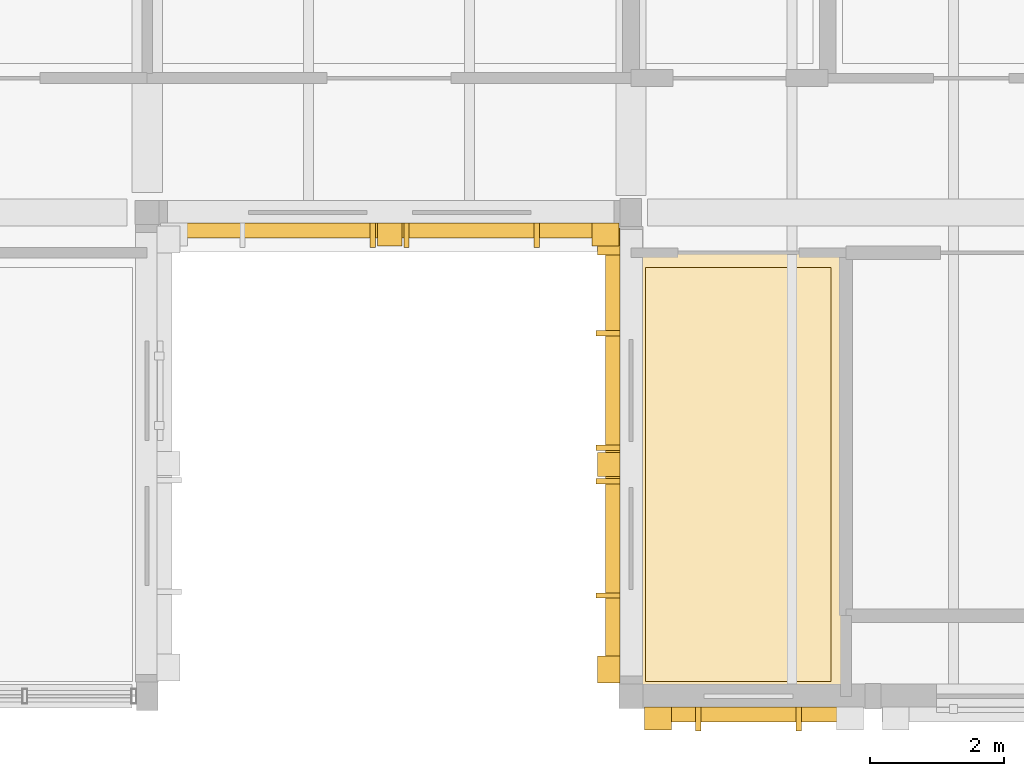
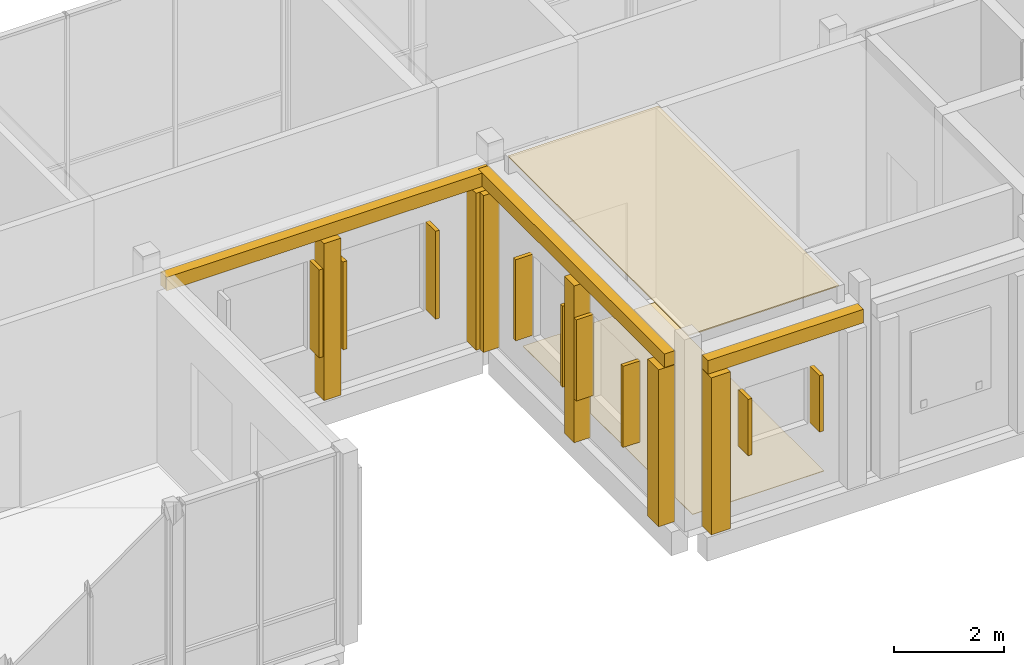
# One storey, part 133 of 146: 11 coverings, 9 shading devices.
"""IFC4 building model written with IfcOpenShell, lengths in metres."""

from ifc_helpers import new_model, si_unit, direction, frame, origin, origin_2d, place, context, subcontext, project, spatial, polyline, rectangle, outline, extrude, material, layer, layer_set, type_object, element, save


model = new_model("IFC4")

# Units and contexts
model_context = context("Model", 3, precision=1e-05, world=origin(), true_north=direction((0.0, 1.0)))
body_context = subcontext(model_context, "Body", "Model", "MODEL_VIEW")
ifc_project = project(units=[si_unit("LENGTHUNIT", "METRE"), si_unit("AREAUNIT", "SQUARE_METRE"), si_unit("VOLUMEUNIT", "CUBIC_METRE"), si_unit("PLANEANGLEUNIT", "RADIAN"), si_unit("MASSUNIT", "GRAM", prefix="KILO")], contexts=[model_context])

# Site, building, storey
site_placement = place(None, origin())
site = spatial("IfcSite", under=ifc_project, at=site_placement, CompositionType="ELEMENT")
building_placement = place(site_placement, origin())
building = spatial("IfcBuilding", under=site, at=building_placement, Name="Hawrajan Terrace Health Centre", CompositionType="ELEMENT")
storey_placement = place(building_placement, frame((0.0, 0.0, 4.5)))
storey = spatial("IfcBuildingStorey", under=building, at=storey_placement, Name="L01", CompositionType="ELEMENT", Elevation=4.5)

# Coverings
ifc_material_1 = material(Name="Precast concrete C40/50", Category="concrete")
ifc_layer_1 = layer(ifc_material_1, 0.219970703125)
ifc_layer_set_1 = layer_set([ifc_layer_1], Name="Precast concrete C40/50")
covering_type_1 = type_object("IfcCoveringType", Name="ArtDecoCorniceBand", PredefinedType="CLADDING", material=ifc_layer_set_1)
covering_1_placement = place(storey_placement, frame((44.2099609375, 11.1298828125, 3.48974609375), z_axis=(0.0, 0.0, 1.0), x_axis=(1.0, 0.0, 0.0)))
element("IfcCovering", 1, at=covering_1_placement, inside=storey, type_object=covering_type_1, Name="Art Deco limestone cornice band CRN-L01-0067", PredefinedType="CLADDING", context=body_context, shape_type="SweptSolid", body=[
    extrude(rectangle(XDim=6.820068359375, YDim=0.219970703125, at=origin_2d()), origin(), (0.0, 0.0, 1.0), 0.300048828125),
])
covering_2_placement = place(storey_placement, frame((49.6298828125, 3.929931640625, 3.48974609375), z_axis=(0.0, 0.0, 1.0), x_axis=(1.0, 0.0, 0.0)))
element("IfcCovering", 2, at=covering_2_placement, inside=storey, type_object=covering_type_1, Name="Art Deco limestone cornice band CRN-L01-0069", PredefinedType="CLADDING", context=body_context, shape_type="SweptSolid", body=[
    extrude(rectangle(XDim=3.260009765625, YDim=0.219970703125, at=origin_2d()), origin(), (0.0, 0.0, 1.0), 0.300048828125),
])
covering_3_placement = place(storey_placement, frame((47.530029296875, 7.784912109375, 3.48974609375), z_axis=(0.0, 0.0, 1.0), x_axis=(0.0, 1.0, 0.0)))
element("IfcCovering", 3, at=covering_3_placement, inside=storey, type_object=covering_type_1, Name="Art Deco limestone cornice band CRN-L01-0071", PredefinedType="CLADDING", context=body_context, shape_type="SweptSolid", body=[
    extrude(rectangle(XDim=6.77001953125, YDim=0.219970703125, at=origin_2d()), origin(), (0.0, 0.0, 1.0), 0.300048828125),
])
ifc_layer_2 = layer(ifc_material_1, 0.340087890625)
ifc_layer_set_2 = layer_set([ifc_layer_2], Name="Precast concrete C40/50")
covering_type_2 = type_object("IfcCoveringType", Name="ArtDecoStonePilaster", PredefinedType="CLADDING", material=ifc_layer_set_2)
covering_4_placement = place(storey_placement, frame((47.419921875, 11.070068359375, 0.0), z_axis=(0.0, 0.0, 1.0), x_axis=(1.0, 0.0, 0.0)))
element("IfcCovering", 4, at=covering_4_placement, inside=storey, type_object=covering_type_2, Name="Art Deco fluted limestone pilaster FPIL-L01-0109", PredefinedType="CLADDING", context=body_context, shape_type="SweptSolid", body=[
    extrude(rectangle(XDim=0.39990234375, YDim=0.340087890625, at=origin_2d()), origin(), (0.0, 0.0, 1.0), 3.47998046875),
])
covering_5_placement = place(storey_placement, frame((44.2099609375, 11.070068359375, 0.0), z_axis=(0.0, 0.0, 1.0), x_axis=(1.0, 0.0, 0.0)))
element("IfcCovering", 5, at=covering_5_placement, inside=storey, type_object=covering_type_2, Name="Art Deco mullion pilaster FPIL-L01-0110", PredefinedType="CLADDING", context=body_context, shape_type="SweptSolid", body=[
    extrude(rectangle(XDim=0.360107421875, YDim=0.340087890625, at=origin_2d()), origin(), (0.0, 0.0, 1.0), 3.47998046875),
])
for number, where, z_axis, x_axis, name in (
    (6, (48.199951171875, 3.8701171875, 0.0), (0.0, 0.0, 1.0), (1.0, 0.0, 0.0), "Art Deco fluted limestone pilaster FPIL-L01-0113"),
    (7, (47.469970703125, 4.60009765625, 0.0), (0.0, 0.0, 1.0), (0.0, 1.0, 0.0), "Art Deco fluted limestone pilaster FPIL-L01-0117"),
    (8, (47.469970703125, 10.969970703125, 0.0), (0.0, 0.0, 1.0), (0.0, 1.0, 0.0), "Art Deco fluted limestone pilaster FPIL-L01-0118"),
):
    element("IfcCovering", number, at=place(storey_placement, frame(where, z_axis=z_axis, x_axis=x_axis)), inside=storey, type_object=covering_type_2, Name=name, PredefinedType="CLADDING", context=body_context, shape_type="SweptSolid", body=[
        extrude(rectangle(XDim=0.39990234375, YDim=0.340087890625, at=origin_2d()), origin(), (0.0, 0.0, 1.0), 3.47998046875),
    ])
covering_6_placement = place(storey_placement, frame((47.469970703125, 7.64990234375, 0.0), z_axis=(0.0, 0.0, 1.0), x_axis=(0.0, 1.0, 0.0)))
element("IfcCovering", 9, at=covering_6_placement, inside=storey, type_object=covering_type_2, Name="Art Deco mullion pilaster FPIL-L01-0119", PredefinedType="CLADDING", context=body_context, shape_type="SweptSolid", body=[
    extrude(rectangle(XDim=0.360107421875, YDim=0.340087890625, at=origin_2d()), origin(), (0.0, 0.0, 1.0), 3.47998046875),
])
ifc_material_2 = material(Name="Hygienic mineral-fibre acoustic tile ceiling")
ifc_layer_3 = layer(ifc_material_2, 0.02490234375)
ifc_layer_set_3 = layer_set([ifc_layer_3], Name="Hygienic mineral-fibre acoustic tile ceiling")
covering_type_3 = type_object("IfcCoveringType", Name="ClinicalAcousticCeiling_25", PredefinedType="CEILING", material=ifc_layer_set_3)
covering_7_placement = place(storey_placement, frame((0.0, 0.0, 4.155029296875)))
element("IfcCovering", 10, at=covering_7_placement, inside=storey, type_object=covering_type_3, Name="Suspended ceiling L01-105", PredefinedType="CEILING", context=body_context, shape_type="SweptSolid", body=[
    extrude(outline(polyline([(47.820068359375, 10.780029296875), (50.97998046875, 10.780029296875), (50.97998046875, 4.219970703125), (47.820068359375, 4.219970703125), (47.820068359375, 10.780029296875)])), origin(), (0.0, 0.0, 1.0), 0.02490234375),
])
ifc_material_3 = material(Name="Seamless medical-grade cushioned vinyl flooring")
ifc_layer_4 = layer(ifc_material_3, 0.011962890625)
ifc_layer_set_4 = layer_set([ifc_layer_4], Name="Seamless medical-grade cushioned vinyl flooring")
covering_type_4 = type_object("IfcCoveringType", Name="ClinicalVinylFlooring_12", PredefinedType="FLOORING", material=ifc_layer_set_4)
covering_8_placement = place(storey_placement, origin())
element("IfcCovering", 11, at=covering_8_placement, inside=storey, type_object=covering_type_4, Name="Floor finish L01-105", PredefinedType="FLOORING", context=body_context, shape_type="SweptSolid", body=[
    extrude(outline(polyline([(48.02001953125, 10.580078125), (50.780029296875, 10.580078125), (50.780029296875, 4.419921875), (48.02001953125, 4.419921875), (48.02001953125, 10.580078125)])), origin(), (0.0, 0.0, 1.0), 0.011962890625),
])

# Shading devices
ifc_material_4 = material(Name="Anodized bronze mashrabiya vertical solar fin")
ifc_layer_5 = layer(ifc_material_4, 0.080078125)
ifc_layer_set_5 = layer_set([ifc_layer_5], Name="Anodized bronze mashrabiya vertical solar fin")
shading_device_type = type_object("IfcShadingDeviceType", Name="MashrabiyaVerticalFin", PredefinedType="USERDEFINED", material=ifc_layer_set_5)
for number, where, z_axis, x_axis, name in (
    (12, (43.9599609375, 11.06005859375, 1.0), (0.0, 0.0, 1.0), (1.0, 0.0, 0.0), "Bronze mashrabiya solar fin FIN-L01-0079"),
    (13, (44.4599609375, 11.06005859375, 1.0), (0.0, 0.0, 1.0), (1.0, 0.0, 0.0), "Bronze mashrabiya solar fin FIN-L01-0080"),
    (14, (46.39990234375, 11.06005859375, 1.0), (0.0, 0.0, 1.0), (1.0, 0.0, 0.0), "Bronze mashrabiya solar fin FIN-L01-0081"),
):
    element("IfcShadingDevice", number, at=place(storey_placement, frame(where, z_axis=z_axis, x_axis=x_axis)), inside=storey, type_object=shading_device_type, Name=name, ObjectType="SOLAR_FIN", PredefinedType="USERDEFINED", context=body_context, shape_type="SweptSolid", body=[
        extrude(rectangle(XDim=0.080078125, YDim=0.360107421875, at=origin_2d()), origin(), (0.0, 0.0, 1.0), 1.949951171875),
    ])
for number, where, z_axis, x_axis, name in (
    (15, (48.800048828125, 3.860107421875, 1.5), (0.0, 0.0, 1.0), (1.0, 0.0, 0.0), "Bronze mashrabiya solar fin FIN-L01-0082"),
    (16, (50.300048828125, 3.860107421875, 1.5), (0.0, 0.0, 1.0), (1.0, 0.0, 0.0), "Bronze mashrabiya solar fin FIN-L01-0083"),
):
    element("IfcShadingDevice", number, at=place(storey_placement, frame(where, z_axis=z_axis, x_axis=x_axis)), inside=storey, type_object=shading_device_type, Name=name, ObjectType="SOLAR_FIN", PredefinedType="USERDEFINED", context=body_context, shape_type="SweptSolid", body=[
        extrude(rectangle(XDim=0.080078125, YDim=0.360107421875, at=origin_2d()), origin(), (0.0, 0.0, 1.0), 1.25),
    ])
for number, where, z_axis, x_axis, name in (
    (17, (47.4599609375, 5.699951171875, 1.0), (0.0, 0.0, 1.0), (0.0, 1.0, 0.0), "Bronze mashrabiya solar fin FIN-L01-0085"),
    (18, (47.4599609375, 7.39990234375, 1.0), (0.0, 0.0, 1.0), (0.0, 1.0, 0.0), "Bronze mashrabiya solar fin FIN-L01-0086"),
    (19, (47.4599609375, 7.89990234375, 1.0), (0.0, 0.0, 1.0), (0.0, 1.0, 0.0), "Bronze mashrabiya solar fin FIN-L01-0087"),
    (20, (47.4599609375, 9.60009765625, 1.0), (0.0, 0.0, 1.0), (0.0, 1.0, 0.0), "Bronze mashrabiya solar fin FIN-L01-0088"),
):
    element("IfcShadingDevice", number, at=place(storey_placement, frame(where, z_axis=z_axis, x_axis=x_axis)), inside=storey, type_object=shading_device_type, Name=name, ObjectType="SOLAR_FIN", PredefinedType="USERDEFINED", context=body_context, shape_type="SweptSolid", body=[
        extrude(rectangle(XDim=0.080078125, YDim=0.360107421875, at=origin_2d()), origin(), (0.0, 0.0, 1.0), 1.800048828125),
    ])

save(model, "model.ifc")
